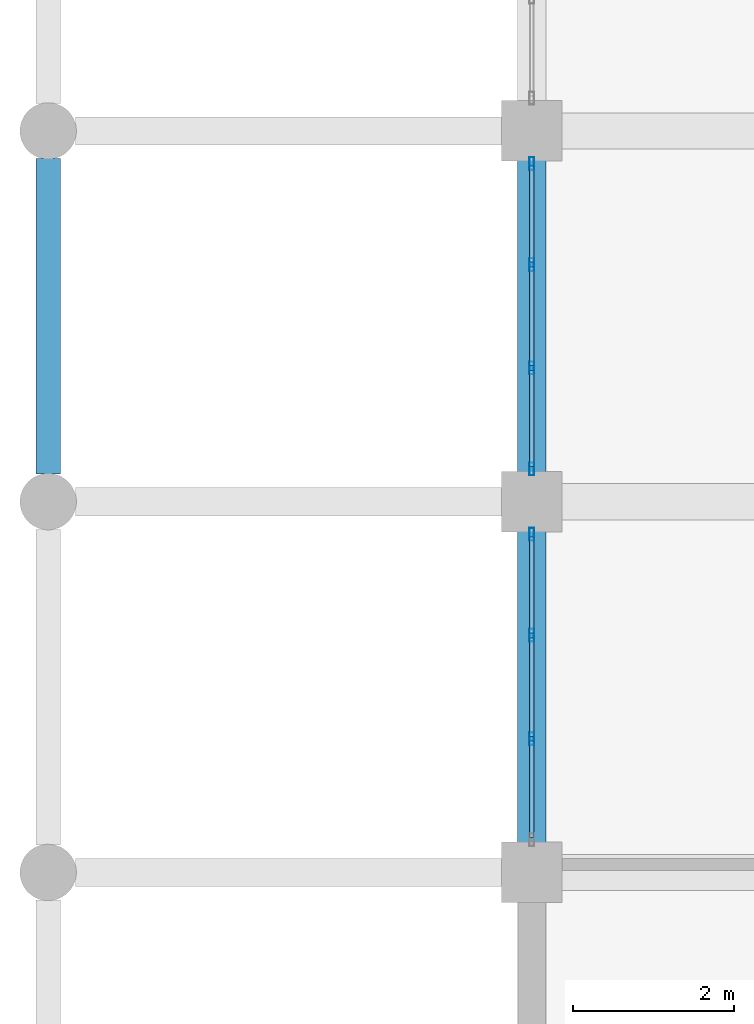
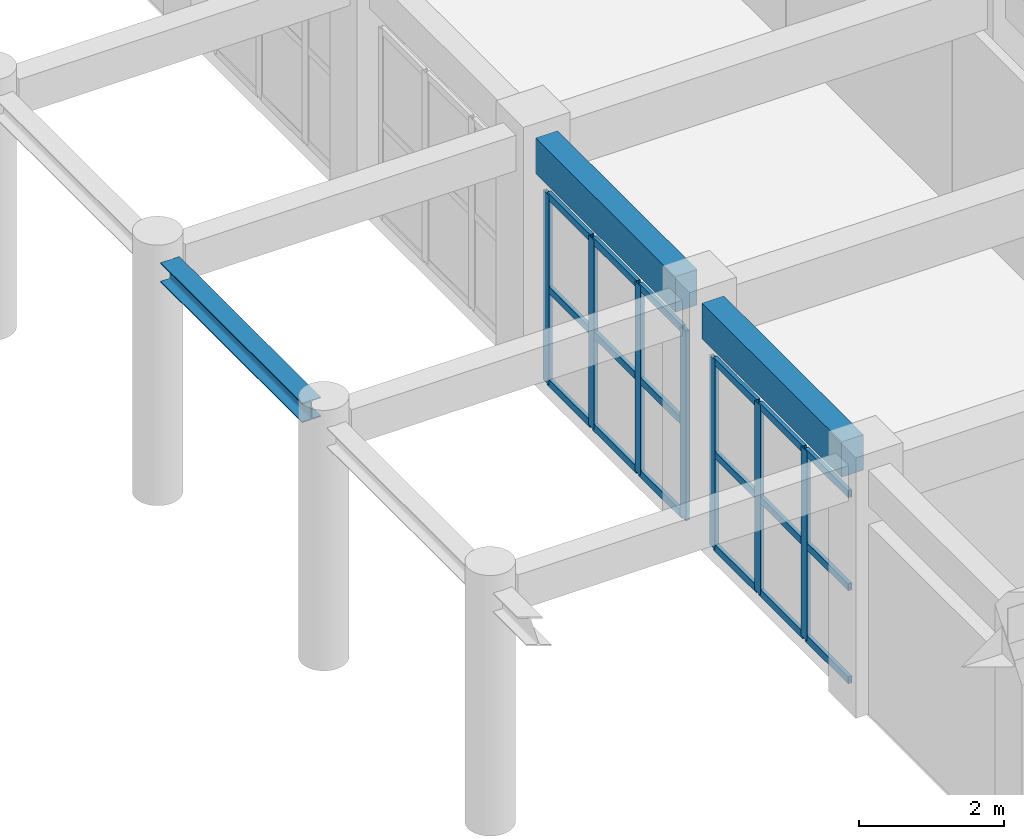
# One storey, part 18 of 116: 25 members, 3 beams, 2 elements without a shape of their own.
"""IFC4 building model written with IfcOpenShell, lengths in metres."""

from ifc_helpers import new_model, si_unit, direction, frame, origin, origin_2d, place, context, subcontext, project, spatial, rectangle, hollow_rectangle, i_section, extrude, material, layer, layer_set, material_profile, profile_set, type_object, element, aggregate, save


model = new_model("IFC4")

# Units and contexts
model_context = context("Model", 3, precision=1e-05, world=origin(), true_north=direction((0.0, 1.0)))
body_context = subcontext(model_context, "Body", "Model", "MODEL_VIEW")
ifc_project = project(units=[si_unit("LENGTHUNIT", "METRE"), si_unit("AREAUNIT", "SQUARE_METRE"), si_unit("VOLUMEUNIT", "CUBIC_METRE"), si_unit("PLANEANGLEUNIT", "RADIAN"), si_unit("MASSUNIT", "GRAM", prefix="KILO")], contexts=[model_context])

# Site, building, storey
site_placement = place(None, origin())
site = spatial("IfcSite", under=ifc_project, at=site_placement, CompositionType="ELEMENT")
building_placement = place(site_placement, origin())
building = spatial("IfcBuilding", under=site, at=building_placement, Name="Muzn Square Opera House", CompositionType="ELEMENT")
storey_placement = place(building_placement, frame((0.0, 0.0, 5.39990234375)))
storey = spatial("IfcBuildingStorey", under=building, at=storey_placement, Name="L01", CompositionType="ELEMENT", Elevation=5.39990234375)

# Curtain wall, members
ifc_material_1 = material(Name="Low-E laminated acoustic double glazing", Category="glass")
ifc_layer = layer(ifc_material_1, 0.159912109375, Name="Low-E laminated acoustic double glazing", Category="glass")
ifc_layer_set = layer_set([ifc_layer], Name="Low-E laminated acoustic double glazing")
curtain_wall_type = type_object("IfcCurtainWallType", Name="Glazed Curtain Wall WestBlvd 3850x3200", PredefinedType="USERDEFINED", material=ifc_layer_set)
curtain_wall_1_placement = place(storey_placement, origin())
curtain_wall_1 = element("IfcCurtainWall", 1, at=curtain_wall_1_placement, inside=storey, type_object=curtain_wall_type, Name="Glazed Curtain Wall CW-L01-140", ObjectType="GLAZED CURTAIN WALL", PredefinedType="USERDEFINED")
ifc_material_2 = material(Name="Anodised bronze aluminium 6063-T6", Category="metal")
ifc_material_profile_1 = material_profile(ifc_material_2, hollow_rectangle(XDim=0.06005859375, YDim=0.159912109375, WallThickness=0.00390625, at=origin_2d()), Name="ALU 160x60x4", Category="metal")
ifc_profile_set_1 = profile_set([ifc_material_profile_1], Name="Anodised bronze aluminium 6063-T6")
member_type_1 = type_object("IfcMemberType", Name="Curtain Wall Mullion 160x60", PredefinedType="MULLION", material=ifc_profile_set_1)
member_1_placement = place(storey_placement, frame((6.0, 32.8583984375, 0.0), z_axis=(0.0, 0.0, 1.0), x_axis=(-1.0, 0.0, 0.0)))
member_1 = element("IfcMember", 2, at=member_1_placement, type_object=member_type_1, Name="CW-WBL-38x32 mullion 2", PredefinedType="MULLION", context=body_context, shape_type="SweptSolid", body=[
    extrude(hollow_rectangle(XDim=0.06005859375, YDim=0.159912109375, WallThickness=0.00390625, at=origin_2d()), origin(), (0.0, 0.0, 1.0), 3.2001953125),
])
member_2_placement = place(storey_placement, frame((6.0, 34.1416015625, 0.0), z_axis=(0.0, 0.0, 1.0), x_axis=(-1.0, 0.0, 0.0)))
member_2 = element("IfcMember", 3, at=member_2_placement, type_object=member_type_1, Name="CW-WBL-38x32 mullion 3", PredefinedType="MULLION", context=body_context, shape_type="SweptSolid", body=[
    extrude(hollow_rectangle(XDim=0.06005859375, YDim=0.159912109375, WallThickness=0.00390625, at=origin_2d()), origin(), (0.0, 0.0, 1.0), 3.2001953125),
])
member_3_placement = place(storey_placement, frame((6.0, 35.39501953125, 0.0), z_axis=(0.0, 0.0, 1.0), x_axis=(-1.0, 0.0, 0.0)))
member_3 = element("IfcMember", 4, at=member_3_placement, type_object=member_type_1, Name="CW-WBL-38x32 mullion 4", PredefinedType="MULLION", context=body_context, shape_type="SweptSolid", body=[
    extrude(hollow_rectangle(XDim=0.06005859375, YDim=0.159912109375, WallThickness=0.00390625, at=origin_2d()), origin(), (0.0, 0.0, 1.0), 3.2001953125),
])

curtain_wall_2_placement = place(storey_placement, origin())
curtain_wall_2 = element("IfcCurtainWall", 5, at=curtain_wall_2_placement, inside=storey, type_object=curtain_wall_type, Name="Glazed Curtain Wall CW-L01-141", ObjectType="GLAZED CURTAIN WALL", PredefinedType="USERDEFINED")
member_4_placement = place(storey_placement, frame((6.0, 36.205078125, 0.0), z_axis=(0.0, 0.0, 1.0), x_axis=(-1.0, 0.0, 0.0)))
member_4 = element("IfcMember", 6, at=member_4_placement, type_object=member_type_1, Name="CW-WBL-38x32 mullion 1", PredefinedType="MULLION", context=body_context, shape_type="SweptSolid", body=[
    extrude(hollow_rectangle(XDim=0.06005859375, YDim=0.159912109375, WallThickness=0.00390625, at=origin_2d()), origin(), (0.0, 0.0, 1.0), 3.2001953125),
])
member_5_placement = place(storey_placement, frame((6.0, 37.458251953125, 0.0), z_axis=(0.0, 0.0, 1.0), x_axis=(-1.0, 0.0, 0.0)))
member_5 = element("IfcMember", 7, at=member_5_placement, type_object=member_type_1, Name="CW-WBL-38x32 mullion 2", PredefinedType="MULLION", context=body_context, shape_type="SweptSolid", body=[
    extrude(hollow_rectangle(XDim=0.06005859375, YDim=0.159912109375, WallThickness=0.00390625, at=origin_2d()), origin(), (0.0, 0.0, 1.0), 3.2001953125),
])
member_6_placement = place(storey_placement, frame((6.0, 38.74169921875, 0.0), z_axis=(0.0, 0.0, 1.0), x_axis=(-1.0, 0.0, 0.0)))
member_6 = element("IfcMember", 8, at=member_6_placement, type_object=member_type_1, Name="CW-WBL-38x32 mullion 3", PredefinedType="MULLION", context=body_context, shape_type="SweptSolid", body=[
    extrude(hollow_rectangle(XDim=0.06005859375, YDim=0.159912109375, WallThickness=0.00390625, at=origin_2d()), origin(), (0.0, 0.0, 1.0), 3.2001953125),
])
member_7_placement = place(storey_placement, frame((6.0, 39.9951171875, 0.0), z_axis=(0.0, 0.0, 1.0), x_axis=(-1.0, 0.0, 0.0)))
member_7 = element("IfcMember", 9, at=member_7_placement, type_object=member_type_1, Name="CW-WBL-38x32 mullion 4", PredefinedType="MULLION", context=body_context, shape_type="SweptSolid", body=[
    extrude(hollow_rectangle(XDim=0.06005859375, YDim=0.159912109375, WallThickness=0.00390625, at=origin_2d()), origin(), (0.0, 0.0, 1.0), 3.2001953125),
])

# Member
ifc_material_profile_2 = material_profile(ifc_material_2, hollow_rectangle(XDim=0.06005859375, YDim=0.1201171875, WallThickness=0.00390625, at=origin_2d()), Name="ALU 120x60x4", Category="metal")
ifc_profile_set_2 = profile_set([ifc_material_profile_2], Name="Anodised bronze aluminium 6063-T6")
member_type_2 = type_object("IfcMemberType", Name="Curtain Wall Transom 120x60", PredefinedType="USERDEFINED", material=ifc_profile_set_2)
member_8_placement = place(storey_placement, frame((6.0, 31.635009765625, 0.030029296875), z_axis=(0.0, 1.0, 0.0), x_axis=(-1.0, 0.0, 0.0)))
member_8 = element("IfcMember", 10, at=member_8_placement, type_object=member_type_2, Name="CW-WBL-38x32 transom 1.1", ObjectType="TRANSOM", PredefinedType="USERDEFINED", context=body_context, shape_type="SweptSolid", body=[
    extrude(hollow_rectangle(XDim=0.06005859375, YDim=0.1201171875, WallThickness=0.00390625, at=origin_2d()), origin(), (0.0, 0.0, 1.0), 1.193359375),
])

member_9_placement = place(storey_placement, frame((6.0, 31.635009765625, 1.60009765625), z_axis=(0.0, 1.0, 0.0), x_axis=(-1.0, 0.0, 0.0)))
member_9 = element("IfcMember", 11, at=member_9_placement, type_object=member_type_2, Name="CW-WBL-38x32 transom 1.2", ObjectType="TRANSOM", PredefinedType="USERDEFINED", context=body_context, shape_type="SweptSolid", body=[
    extrude(hollow_rectangle(XDim=0.06005859375, YDim=0.1201171875, WallThickness=0.00390625, at=origin_2d()), origin(), (0.0, 0.0, 1.0), 1.193359375),
])

member_10_placement = place(storey_placement, frame((6.0, 31.635009765625, 3.170166015625), z_axis=(0.0, 1.0, 0.0), x_axis=(-1.0, 0.0, 0.0)))
member_10 = element("IfcMember", 12, at=member_10_placement, type_object=member_type_2, Name="CW-WBL-38x32 transom 1.3", ObjectType="TRANSOM", PredefinedType="USERDEFINED", context=body_context, shape_type="SweptSolid", body=[
    extrude(hollow_rectangle(XDim=0.06005859375, YDim=0.1201171875, WallThickness=0.00390625, at=origin_2d()), origin(), (0.0, 0.0, 1.0), 1.193359375),
])

member_11_placement = place(storey_placement, frame((6.0, 32.888427734375, 0.030029296875), z_axis=(0.0, 1.0, 0.0), x_axis=(-1.0, 0.0, 0.0)))
member_11 = element("IfcMember", 13, at=member_11_placement, type_object=member_type_2, Name="CW-WBL-38x32 transom 2.1", ObjectType="TRANSOM", PredefinedType="USERDEFINED", context=body_context, shape_type="SweptSolid", body=[
    extrude(hollow_rectangle(XDim=0.06005859375, YDim=0.1201171875, WallThickness=0.00390625, at=origin_2d()), origin(), (0.0, 0.0, 1.0), 1.22314453125),
])

member_12_placement = place(storey_placement, frame((6.0, 32.888427734375, 1.60009765625), z_axis=(0.0, 1.0, 0.0), x_axis=(-1.0, 0.0, 0.0)))
member_12 = element("IfcMember", 14, at=member_12_placement, type_object=member_type_2, Name="CW-WBL-38x32 transom 2.2", ObjectType="TRANSOM", PredefinedType="USERDEFINED", context=body_context, shape_type="SweptSolid", body=[
    extrude(hollow_rectangle(XDim=0.06005859375, YDim=0.1201171875, WallThickness=0.00390625, at=origin_2d()), origin(), (0.0, 0.0, 1.0), 1.22314453125),
])

member_13_placement = place(storey_placement, frame((6.0, 32.888427734375, 3.170166015625), z_axis=(0.0, 1.0, 0.0), x_axis=(-1.0, 0.0, 0.0)))
member_13 = element("IfcMember", 15, at=member_13_placement, type_object=member_type_2, Name="CW-WBL-38x32 transom 2.3", ObjectType="TRANSOM", PredefinedType="USERDEFINED", context=body_context, shape_type="SweptSolid", body=[
    extrude(hollow_rectangle(XDim=0.06005859375, YDim=0.1201171875, WallThickness=0.00390625, at=origin_2d()), origin(), (0.0, 0.0, 1.0), 1.22314453125),
])

member_14_placement = place(storey_placement, frame((6.0, 34.171630859375, 0.030029296875), z_axis=(0.0, 1.0, 0.0), x_axis=(-1.0, 0.0, 0.0)))
member_14 = element("IfcMember", 16, at=member_14_placement, type_object=member_type_2, Name="CW-WBL-38x32 transom 3.1", ObjectType="TRANSOM", PredefinedType="USERDEFINED", context=body_context, shape_type="SweptSolid", body=[
    extrude(hollow_rectangle(XDim=0.06005859375, YDim=0.1201171875, WallThickness=0.00390625, at=origin_2d()), origin(), (0.0, 0.0, 1.0), 1.193359375),
])

member_15_placement = place(storey_placement, frame((6.0, 34.171630859375, 1.60009765625), z_axis=(0.0, 1.0, 0.0), x_axis=(-1.0, 0.0, 0.0)))
member_15 = element("IfcMember", 17, at=member_15_placement, type_object=member_type_2, Name="CW-WBL-38x32 transom 3.2", ObjectType="TRANSOM", PredefinedType="USERDEFINED", context=body_context, shape_type="SweptSolid", body=[
    extrude(hollow_rectangle(XDim=0.06005859375, YDim=0.1201171875, WallThickness=0.00390625, at=origin_2d()), origin(), (0.0, 0.0, 1.0), 1.193359375),
])

member_16_placement = place(storey_placement, frame((6.0, 34.171630859375, 3.170166015625), z_axis=(0.0, 1.0, 0.0), x_axis=(-1.0, 0.0, 0.0)))
member_16 = element("IfcMember", 18, at=member_16_placement, type_object=member_type_2, Name="CW-WBL-38x32 transom 3.3", ObjectType="TRANSOM", PredefinedType="USERDEFINED", context=body_context, shape_type="SweptSolid", body=[
    extrude(hollow_rectangle(XDim=0.06005859375, YDim=0.1201171875, WallThickness=0.00390625, at=origin_2d()), origin(), (0.0, 0.0, 1.0), 1.193359375),
])

aggregate(curtain_wall_1, [member_1, member_2, member_3, member_8, member_9, member_10, member_11, member_12, member_13, member_14, member_15, member_16])

member_17_placement = place(storey_placement, frame((6.0, 36.235107421875, 0.030029296875), z_axis=(0.0, 1.0, 0.0), x_axis=(-1.0, 0.0, 0.0)))
member_17 = element("IfcMember", 19, at=member_17_placement, type_object=member_type_2, Name="CW-WBL-38x32 transom 1.1", ObjectType="TRANSOM", PredefinedType="USERDEFINED", context=body_context, shape_type="SweptSolid", body=[
    extrude(hollow_rectangle(XDim=0.06005859375, YDim=0.1201171875, WallThickness=0.00390625, at=origin_2d()), origin(), (0.0, 0.0, 1.0), 1.193115234375),
])

member_18_placement = place(storey_placement, frame((6.0, 36.235107421875, 1.60009765625), z_axis=(0.0, 1.0, 0.0), x_axis=(-1.0, 0.0, 0.0)))
member_18 = element("IfcMember", 20, at=member_18_placement, type_object=member_type_2, Name="CW-WBL-38x32 transom 1.2", ObjectType="TRANSOM", PredefinedType="USERDEFINED", context=body_context, shape_type="SweptSolid", body=[
    extrude(hollow_rectangle(XDim=0.06005859375, YDim=0.1201171875, WallThickness=0.00390625, at=origin_2d()), origin(), (0.0, 0.0, 1.0), 1.193115234375),
])

member_19_placement = place(storey_placement, frame((6.0, 36.235107421875, 3.170166015625), z_axis=(0.0, 1.0, 0.0), x_axis=(-1.0, 0.0, 0.0)))
member_19 = element("IfcMember", 21, at=member_19_placement, type_object=member_type_2, Name="CW-WBL-38x32 transom 1.3", ObjectType="TRANSOM", PredefinedType="USERDEFINED", context=body_context, shape_type="SweptSolid", body=[
    extrude(hollow_rectangle(XDim=0.06005859375, YDim=0.1201171875, WallThickness=0.00390625, at=origin_2d()), origin(), (0.0, 0.0, 1.0), 1.193115234375),
])

member_20_placement = place(storey_placement, frame((6.0, 37.48828125, 0.030029296875), z_axis=(0.0, 1.0, 0.0), x_axis=(-1.0, 0.0, 0.0)))
member_20 = element("IfcMember", 22, at=member_20_placement, type_object=member_type_2, Name="CW-WBL-38x32 transom 2.1", ObjectType="TRANSOM", PredefinedType="USERDEFINED", context=body_context, shape_type="SweptSolid", body=[
    extrude(hollow_rectangle(XDim=0.06005859375, YDim=0.1201171875, WallThickness=0.00390625, at=origin_2d()), origin(), (0.0, 0.0, 1.0), 1.223388671875),
])

member_21_placement = place(storey_placement, frame((6.0, 37.48828125, 1.60009765625), z_axis=(0.0, 1.0, 0.0), x_axis=(-1.0, 0.0, 0.0)))
member_21 = element("IfcMember", 23, at=member_21_placement, type_object=member_type_2, Name="CW-WBL-38x32 transom 2.2", ObjectType="TRANSOM", PredefinedType="USERDEFINED", context=body_context, shape_type="SweptSolid", body=[
    extrude(hollow_rectangle(XDim=0.06005859375, YDim=0.1201171875, WallThickness=0.00390625, at=origin_2d()), origin(), (0.0, 0.0, 1.0), 1.223388671875),
])

member_22_placement = place(storey_placement, frame((6.0, 37.48828125, 3.170166015625), z_axis=(0.0, 1.0, 0.0), x_axis=(-1.0, 0.0, 0.0)))
member_22 = element("IfcMember", 24, at=member_22_placement, type_object=member_type_2, Name="CW-WBL-38x32 transom 2.3", ObjectType="TRANSOM", PredefinedType="USERDEFINED", context=body_context, shape_type="SweptSolid", body=[
    extrude(hollow_rectangle(XDim=0.06005859375, YDim=0.1201171875, WallThickness=0.00390625, at=origin_2d()), origin(), (0.0, 0.0, 1.0), 1.223388671875),
])

member_23_placement = place(storey_placement, frame((6.0, 38.771728515625, 0.030029296875), z_axis=(0.0, 1.0, 0.0), x_axis=(-1.0, 0.0, 0.0)))
member_23 = element("IfcMember", 25, at=member_23_placement, type_object=member_type_2, Name="CW-WBL-38x32 transom 3.1", ObjectType="TRANSOM", PredefinedType="USERDEFINED", context=body_context, shape_type="SweptSolid", body=[
    extrude(hollow_rectangle(XDim=0.06005859375, YDim=0.1201171875, WallThickness=0.00390625, at=origin_2d()), origin(), (0.0, 0.0, 1.0), 1.193359375),
])

member_24_placement = place(storey_placement, frame((6.0, 38.771728515625, 1.60009765625), z_axis=(0.0, 1.0, 0.0), x_axis=(-1.0, 0.0, 0.0)))
member_24 = element("IfcMember", 26, at=member_24_placement, type_object=member_type_2, Name="CW-WBL-38x32 transom 3.2", ObjectType="TRANSOM", PredefinedType="USERDEFINED", context=body_context, shape_type="SweptSolid", body=[
    extrude(hollow_rectangle(XDim=0.06005859375, YDim=0.1201171875, WallThickness=0.00390625, at=origin_2d()), origin(), (0.0, 0.0, 1.0), 1.193359375),
])

member_25_placement = place(storey_placement, frame((6.0, 38.771728515625, 3.170166015625), z_axis=(0.0, 1.0, 0.0), x_axis=(-1.0, 0.0, 0.0)))
member_25 = element("IfcMember", 27, at=member_25_placement, type_object=member_type_2, Name="CW-WBL-38x32 transom 3.3", ObjectType="TRANSOM", PredefinedType="USERDEFINED", context=body_context, shape_type="SweptSolid", body=[
    extrude(hollow_rectangle(XDim=0.06005859375, YDim=0.1201171875, WallThickness=0.00390625, at=origin_2d()), origin(), (0.0, 0.0, 1.0), 1.193359375),
])

aggregate(curtain_wall_2, [member_4, member_5, member_6, member_7, member_17, member_18, member_19, member_20, member_21, member_22, member_23, member_24, member_25])

# Beams
ifc_material_3 = material(Name="Concrete C40/50", Category="concrete")
ifc_material_profile_3 = material_profile(ifc_material_3, rectangle(XDim=0.35009765625, YDim=0.60009765625, at=origin_2d()), Name="RCB 350x600", Category="concrete")
ifc_profile_set_3 = profile_set([ifc_material_profile_3], Name="Concrete C40/50")
beam_type_1 = type_object("IfcBeamType", Name="Primary Girder 350x600", PredefinedType="BEAM", material=ifc_profile_set_3)
beam_1_placement = place(storey_placement, frame((6.0, 31.56689453125, 3.85009765625), z_axis=(0.0, 1.0, 0.0), x_axis=(-1.0, 0.0, 0.0)))
element("IfcBeam", 28, at=beam_1_placement, inside=storey, type_object=beam_type_1, Name="Primary Girder BM-L01-BM-PG600-60_316_60_354-1530", PredefinedType="BEAM", context=body_context, shape_type="SweptSolid", body=[
    extrude(rectangle(XDim=0.35009765625, YDim=0.60009765625, at=origin_2d()), origin(), (0.0, 0.0, 1.0), 3.8662109375),
])
beam_2_placement = place(storey_placement, frame((6.0, 36.1669921875, 3.85009765625), z_axis=(0.0, 1.0, 0.0), x_axis=(-1.0, 0.0, 0.0)))
element("IfcBeam", 29, at=beam_2_placement, inside=storey, type_object=beam_type_1, Name="Primary Girder BM-L01-BM-PG600-60_362_60_400-1531", PredefinedType="BEAM", context=body_context, shape_type="SweptSolid", body=[
    extrude(rectangle(XDim=0.35009765625, YDim=0.60009765625, at=origin_2d()), origin(), (0.0, 0.0, 1.0), 3.865966796875),
])
ifc_material_4 = material(Name="Steel S355", Category="steel")
ifc_material_profile_4 = material_profile(ifc_material_4, i_section(OverallWidth=0.300048828125, OverallDepth=0.330078125, WebThickness=0.009521484375, FlangeThickness=0.0166015625, FilletRadius=0.027099609375, at=origin_2d()), Name="HEA 340", Category="steel")
ifc_profile_set_4 = profile_set([ifc_material_profile_4], Name="Steel S355")
beam_type_2 = type_object("IfcBeamType", Name="Steel Spandrel Beam HEA340", PredefinedType="SPANDREL", material=ifc_profile_set_4)
beam_3_placement = place(storey_placement, frame((0.0, 36.14208984375, 3.955078125), z_axis=(0.0, 1.0, 0.0), x_axis=(-1.0, 0.0, 0.0)))
element("IfcBeam", 30, at=beam_3_placement, inside=storey, type_object=beam_type_2, Name="Spandrel Beam BM-L01-BM-SSP340-0_361_0_401-1514", PredefinedType="SPANDREL", context=body_context, shape_type="SweptSolid", body=[
    extrude(i_section(OverallWidth=0.300048828125, OverallDepth=0.330078125, WebThickness=0.009521484375, FlangeThickness=0.0166015625, FilletRadius=0.027099609375, at=origin_2d()), origin(), (0.0, 0.0, 1.0), 3.916015625),
])

save(model, "model.ifc")
